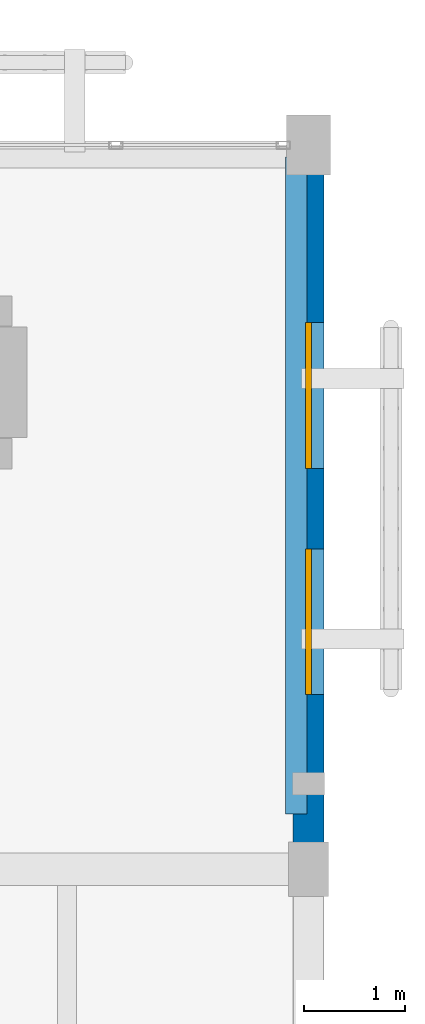
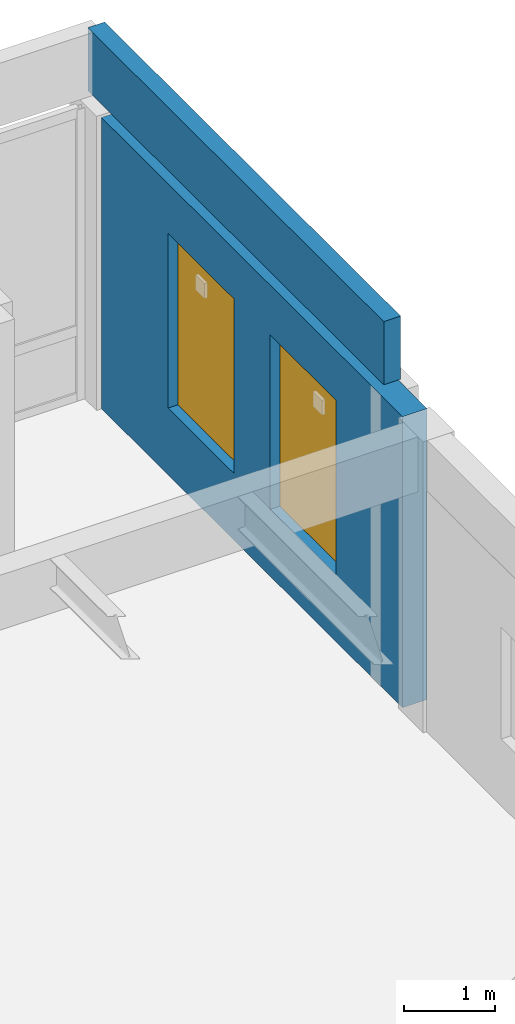
# One storey, part 188 of 217: 2 walls, 2 windows, 2 openings.
"""IFC4 building model written with IfcOpenShell, lengths in metres."""

from ifc_helpers import new_model, si_unit, direction, frame, frame_2d, origin, place, context, subcontext, project, spatial, rectangle, extrude, material, layer, layer_set, type_object, element, fill, save


model = new_model("IFC4")

# Units and contexts
model_context = context("Model", 3, precision=1e-05, world=origin(), true_north=direction((0.0, 1.0)))
body_context = subcontext(model_context, "Body", "Model", "MODEL_VIEW")
ifc_project = project(units=[si_unit("LENGTHUNIT", "METRE"), si_unit("AREAUNIT", "SQUARE_METRE"), si_unit("VOLUMEUNIT", "CUBIC_METRE"), si_unit("PLANEANGLEUNIT", "RADIAN"), si_unit("MASSUNIT", "GRAM", prefix="KILO")], contexts=[model_context])

# Site, building, storey
site_placement = place(None, origin())
site = spatial("IfcSite", under=ifc_project, at=site_placement, CompositionType="ELEMENT")
building_placement = place(site_placement, origin())
building = spatial("IfcBuilding", under=site, at=building_placement, Name="Mazaris Harbour Polytechnic", CompositionType="ELEMENT")
storey_placement = place(building_placement, frame((0.0, 0.0, 9.60009765625)))
storey = spatial("IfcBuildingStorey", under=building, at=storey_placement, Name="L02", CompositionType="ELEMENT", Elevation=9.60009765625)

# Wall, openings, windows
ifc_material_1 = material(Name="Algerian Buff Limestone and Mineral Wool", Category="masonry")
ifc_layer_1 = layer(ifc_material_1, 0.31005859375, Name="Algerian Buff Limestone and Mineral Wool")
ifc_layer_set_1 = layer_set([ifc_layer_1], Name="Algerian Buff Limestone and Mineral Wool")
wall_type_1 = type_object("IfcWallType", Name="Limestone Studio Wall 310", PredefinedType="STANDARD", material=ifc_layer_set_1)
wall_1_placement = place(storey_placement, frame((172.800048828125, 107.7080078125, 0.0), z_axis=(0.0, 0.0, 1.0), x_axis=(0.0, -1.0, 0.0)))
wall_1 = element("IfcWall", 1, at=wall_1_placement, inside=storey, type_object=wall_type_1, Name="V5 L02 Exterior Wall 354", PredefinedType="STANDARD", context=body_context, shape_type="SweptSolid", body=[
    extrude(rectangle(XDim=6.64599609375, YDim=0.31005859375, at=frame_2d((3.322998046875, 0.0))), origin(), (0.0, 0.0, 1.0), 3.919921875),
])
opening_1_placement = place(wall_1_placement, frame((1.472900390625, 0.0, 0.89990234375)))
opening_1 = element("IfcOpeningElement", 2, at=opening_1_placement, cuts=wall_1, Name="Opening WN-19", PredefinedType="OPENING", context=body_context, shape_type="SweptSolid", body=[
    extrude(rectangle(XDim=1.449951171875, YDim=2.35009765625, at=frame_2d((0.72509765625, 1.175048828125))), frame((0.0, 0.1650390625, 0.0), z_axis=(0.0, -1.0, 0.0), x_axis=(1.0, 0.0, 0.0)), (0.0, 0.0, 1.0), 0.330078125),
])
opening_2_placement = place(wall_1_placement, frame((3.722900390625, 0.0, 0.89990234375)))
opening_2 = element("IfcOpeningElement", 3, at=opening_2_placement, cuts=wall_1, Name="Opening WN-19", PredefinedType="OPENING", context=body_context, shape_type="SweptSolid", body=[
    extrude(rectangle(XDim=1.449951171875, YDim=2.35009765625, at=frame_2d((0.72509765625, 1.175048828125))), frame((0.0, 0.1650390625, 0.0), z_axis=(0.0, -1.0, 0.0), x_axis=(1.0, 0.0, 0.0)), (0.0, 0.0, 1.0), 0.330078125),
])
ifc_material_2 = material(Name="Thermally Broken Bronze Aluminium and Low-E Glass", Category="aluminium")
window_type = type_object("IfcWindowType", Name="Courtyard Gallery Window 1450x2350", PartitioningType="DOUBLE_PANEL_VERTICAL", PredefinedType="WINDOW", material=ifc_material_2)
window_1_placement = place(opening_1_placement, origin())
window_1 = element("IfcWindow", 4, at=window_1_placement, inside=storey, type_object=window_type, Name="WN-0404", OverallHeight=2.35009765625, OverallWidth=1.449951171875, PartitioningType="DOUBLE_PANEL_VERTICAL", PredefinedType="WINDOW", context=body_context, shape_type="SweptSolid", body=[
    extrude(rectangle(XDim=1.449951171875, YDim=2.35009765625, at=frame_2d((0.72509765625, 1.175048828125))), frame((0.0, 0.030029296875, 0.0), z_axis=(0.0, -1.0, 0.0), x_axis=(1.0, 0.0, 0.0)), (0.0, 0.0, 1.0), 0.06005859375),
])
fill(opening_1, window_1)
window_2_placement = place(opening_2_placement, origin())
window_2 = element("IfcWindow", 5, at=window_2_placement, inside=storey, type_object=window_type, Name="WN-0405", OverallHeight=2.35009765625, OverallWidth=1.449951171875, PartitioningType="DOUBLE_PANEL_VERTICAL", PredefinedType="WINDOW", context=body_context, shape_type="SweptSolid", body=[
    extrude(rectangle(XDim=1.449951171875, YDim=2.35009765625, at=frame_2d((0.72509765625, 1.175048828125))), frame((0.0, 0.030029296875, 0.0), z_axis=(0.0, -1.0, 0.0), x_axis=(1.0, 0.0, 0.0)), (0.0, 0.0, 1.0), 0.06005859375),
])
fill(opening_2, window_2)

# Wall
ifc_material_3 = material(Name="Concrete C35/45", Category="concrete")
ifc_layer_2 = layer(ifc_material_3, 0.215087890625, Name="Concrete C35/45")
ifc_layer_set_2 = layer_set([ifc_layer_2], Name="Concrete C35/45")
wall_type_2 = type_object("IfcWallType", Name="Terrace Upstand Parapet 215", PredefinedType="PARAPET", material=ifc_layer_set_2)
wall_2_placement = place(storey_placement, frame((172.679931640625, 101.35009765625, 4.199951171875), z_axis=(0.0, 0.0, 1.0), x_axis=(0.0, 1.0, 0.0)))
element("IfcWall", 6, at=wall_2_placement, inside=storey, type_object=wall_type_2, Name="L02 Roof Cornice Parapet 9", PredefinedType="PARAPET", context=body_context, shape_type="SweptSolid", body=[
    extrude(rectangle(XDim=6.52978515625, YDim=0.215087890625, at=frame_2d((3.264892578125, 0.0))), origin(), (0.0, 0.0, 1.0), 0.849853515625),
])

save(model, "model.ifc")
